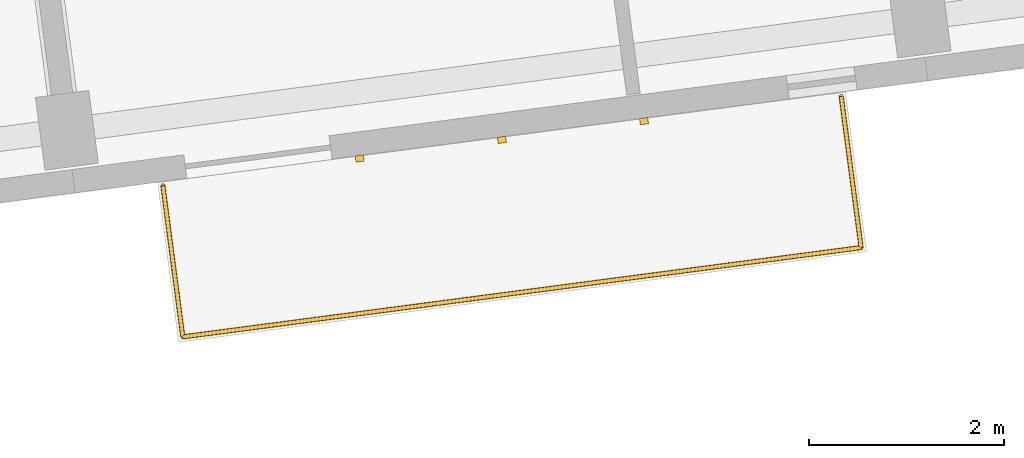
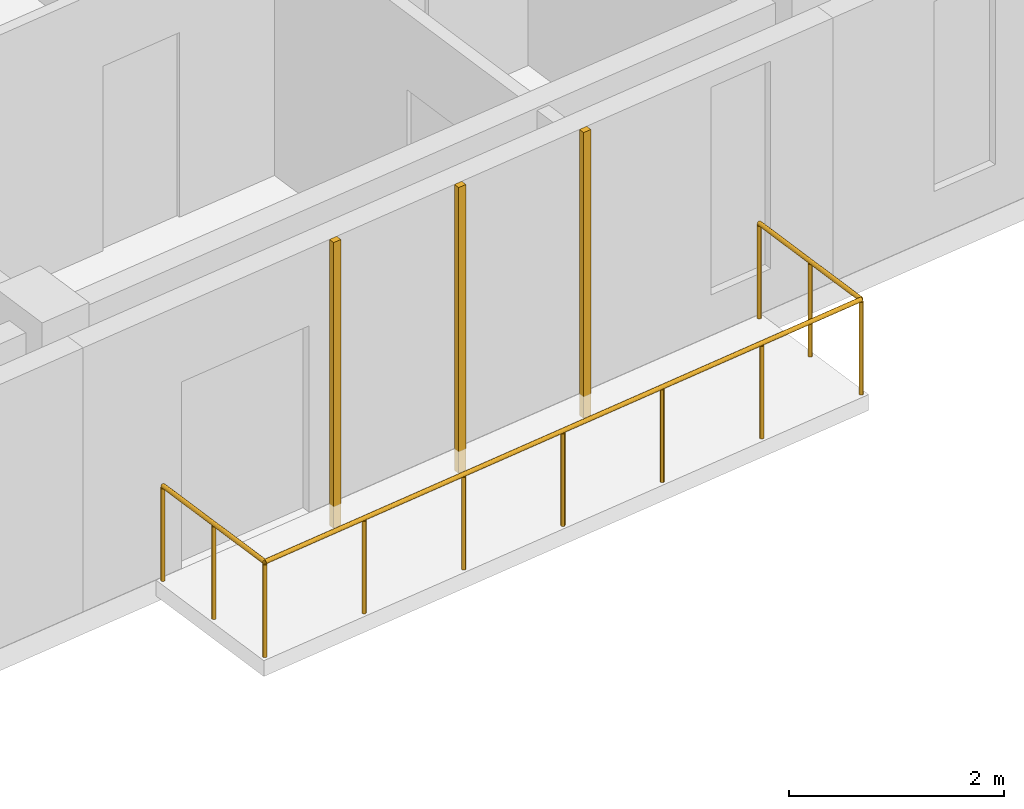
# One storey, part 105 of 127: 3 coverings, 1 railing.
"""IFC4 building model written with IfcOpenShell, lengths in metres."""

from ifc_helpers import new_model, si_unit, direction, frame, origin, origin_2d, place, context, subcontext, project, spatial, rectangle, circle, extrude, material, layer, layer_set, type_object, element, save


model = new_model("IFC4")

# Units and contexts
model_context = context("Model", 3, precision=1e-05, world=origin(), true_north=direction((0.0, 1.0)))
body_context = subcontext(model_context, "Body", "Model", "MODEL_VIEW")
ifc_project = project(units=[si_unit("LENGTHUNIT", "METRE"), si_unit("AREAUNIT", "SQUARE_METRE"), si_unit("VOLUMEUNIT", "CUBIC_METRE"), si_unit("PLANEANGLEUNIT", "RADIAN"), si_unit("MASSUNIT", "GRAM", prefix="KILO")], contexts=[model_context])

# Site, building, storey
site_placement = place(None, origin())
site = spatial("IfcSite", under=ifc_project, at=site_placement, CompositionType="ELEMENT")
building_placement = place(site_placement, origin())
building = spatial("IfcBuilding", under=site, at=building_placement, Name="Kestramere Prow Commons", CompositionType="ELEMENT")
storey_placement = place(building_placement, frame((0.0, 0.0, 8.39990234375)))
storey = spatial("IfcBuildingStorey", under=building, at=storey_placement, Name="L02", CompositionType="ELEMENT", Elevation=8.39990234375)

# Coverings
ifc_material_1 = material(Name="Weathered Zinc-Titanium Standing-Seam Cladding")
ifc_layer = layer(ifc_material_1, 0.074951171875)
ifc_layer_set = layer_set([ifc_layer], Name="Weathered Zinc-Titanium Standing-Seam Cladding")
covering_type = type_object("IfcCoveringType", Name="COV-CLAD-SEAM", PredefinedType="CLADDING", material=ifc_layer_set)
for number, where, z_axis, x_axis, name in (
    (1, (34.554443359375, 74.391357421875, -0.25), (0.0, 0.0, 1.0), (-0.991444861374, -0.13052619222, 0.0), "EW-A-L02-S-2 Standing-Seam Rib 2"),
    (2, (33.100341796875, 74.199951171875, -0.25), (0.0, 0.0, 1.0), (-0.991444861374, -0.13052619222, 0.0), "EW-A-L02-S-2 Standing-Seam Rib 3"),
    (3, (31.64599609375, 74.008544921875, -0.25), (0.0, 0.0, 1.0), (-0.991444861374, -0.13052619222, 0.0), "EW-A-L02-S-2 Standing-Seam Rib 4"),
):
    element("IfcCovering", number, at=place(storey_placement, frame(where, z_axis=z_axis, x_axis=x_axis)), inside=storey, type_object=covering_type, Name=name, PredefinedType="CLADDING", context=body_context, shape_type="SweptSolid", body=[
        extrude(rectangle(XDim=0.0849609375, YDim=0.06494140625, at=origin_2d()), origin(), (0.0, 0.0, 1.0), 3.25),
    ])

# Railing
ifc_material_2 = material(Name="Powder-Coated Aluminium 6063-T6", Category="aluminium")
railing_type = type_object("IfcRailingType", Name="GRD-BALC-1100", PredefinedType="BALUSTRADE", material=ifc_material_2)
railing_placement = place(storey_placement, frame((29.6318359375, 73.730712890625, 0.0)))
element("IfcRailing", 4, at=railing_placement, inside=storey, type_object=railing_type, Name="Block A L02 Balcony Guardrail 3", PredefinedType="BALUSTRADE", context=body_context, shape_type="SweptSolid", body=[
    extrude(circle(Radius=0.02392578125, at=origin_2d()), frame((0.0, 0.0, 1.076171875), z_axis=(0.130523335136, -0.991445237512, 0.0), x_axis=(0.991445237512, 0.130523335136, 0.0)), (0.0, 0.0, 1.0), 1.56005859375),
    extrude(circle(Radius=0.02392578125, at=origin_2d()), frame((0.20361328125, -1.546630859375, 1.076171875), z_axis=(0.991447052715, 0.13050954625, 0.0), x_axis=(-0.13050954625, 0.991447052715, 0.0)), (0.0, 0.0, 1.0), 7.0),
    extrude(circle(Radius=0.02392578125, at=origin_2d()), frame((7.143798828125, -0.633056640625, 1.076171875), z_axis=(-0.130523335136, 0.991445237512, 0.0), x_axis=(-0.991445237512, -0.130523335136, 0.0)), (0.0, 0.0, 1.0), 1.56005859375),
    extrude(circle(Radius=0.02099609375, at=origin_2d()), origin(), (0.0, 0.0, 1.0), 1.052001953125),
    extrude(circle(Radius=0.02099609375, at=origin_2d()), frame((0.101806640625, -0.7734375, 0.0)), (0.0, 0.0, 1.0), 1.052001953125),
    extrude(circle(Radius=0.02099609375, at=origin_2d()), frame((0.20361328125, -1.546630859375, 0.0)), (0.0, 0.0, 1.0), 1.052001953125),
    extrude(circle(Radius=0.02099609375, at=origin_2d()), frame((1.3603515625, -1.394287109375, 0.0)), (0.0, 0.0, 1.0), 1.052001953125),
    extrude(circle(Radius=0.02099609375, at=origin_2d()), frame((2.51708984375, -1.2421875, 0.0)), (0.0, 0.0, 1.0), 1.052001953125),
    extrude(circle(Radius=0.02099609375, at=origin_2d()), frame((3.673828125, -1.08984375, 0.0)), (0.0, 0.0, 1.0), 1.052001953125),
    extrude(circle(Radius=0.02099609375, at=origin_2d()), frame((4.830322265625, -0.9375, 0.0)), (0.0, 0.0, 1.0), 1.052001953125),
    extrude(circle(Radius=0.02099609375, at=origin_2d()), frame((5.987060546875, -0.785400390625, 0.0)), (0.0, 0.0, 1.0), 1.052001953125),
    extrude(circle(Radius=0.02099609375, at=origin_2d()), frame((7.143798828125, -0.633056640625, 0.0)), (0.0, 0.0, 1.0), 1.052001953125),
    extrude(circle(Radius=0.02099609375, at=origin_2d()), frame((7.0419921875, 0.14013671875, 0.0)), (0.0, 0.0, 1.0), 1.052001953125),
    extrude(circle(Radius=0.02099609375, at=origin_2d()), frame((6.940185546875, 0.91357421875, 0.0)), (0.0, 0.0, 1.0), 1.052001953125),
])

save(model, "model.ifc")
